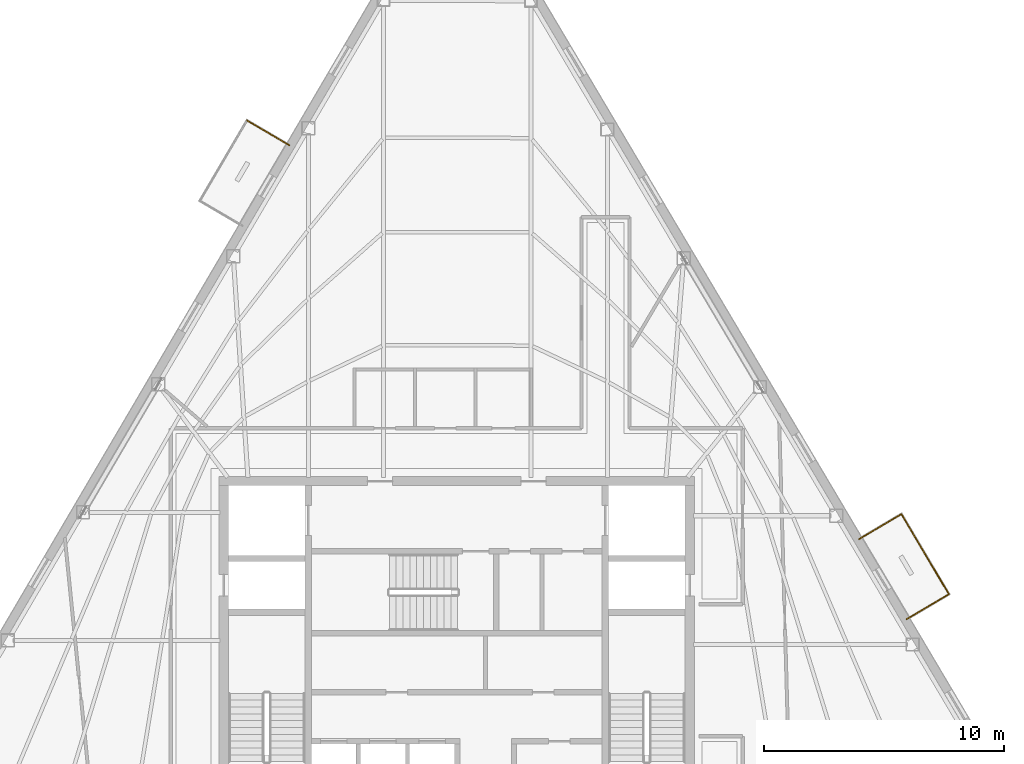
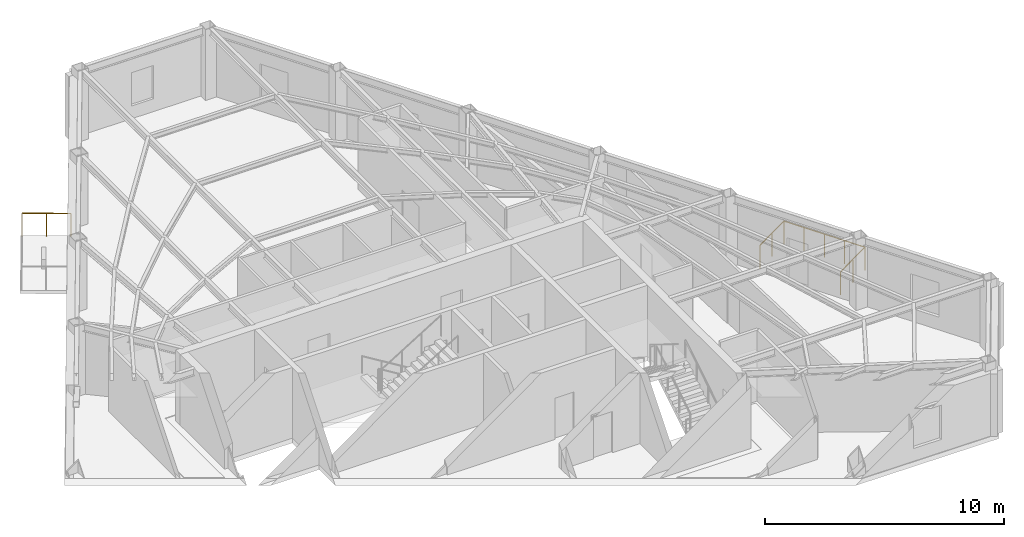
# One storey, part 9 of 9: 4 railings.
"""IFC4 building model written with IfcOpenShell, lengths in metres."""

from ifc_helpers import new_model, si_unit, direction, frame, origin, origin_2d, place, context, subcontext, project, spatial, circle, extrude, material, type_object, element, save


model = new_model("IFC4")

# Units and contexts
model_context = context("Model", 3, precision=1e-05, world=origin(), true_north=direction((0.0, 1.0)))
body_context = subcontext(model_context, "Body", "Model", "MODEL_VIEW")
ifc_project = project(units=[si_unit("LENGTHUNIT", "METRE"), si_unit("AREAUNIT", "SQUARE_METRE"), si_unit("VOLUMEUNIT", "CUBIC_METRE"), si_unit("PLANEANGLEUNIT", "RADIAN"), si_unit("MASSUNIT", "GRAM", prefix="KILO")], contexts=[model_context])

# Site, building, storey
site_placement = place(None, origin())
site = spatial("IfcSite", under=ifc_project, at=site_placement, CompositionType="ELEMENT")
building_placement = place(site_placement, origin())
building = spatial("IfcBuilding", under=site, at=building_placement, Name="Kavelnor Concourse Tower", CompositionType="ELEMENT")
storey_placement = place(building_placement, frame((0.0, 0.0, 270.300048828125)))
storey = spatial("IfcBuildingStorey", under=building, at=storey_placement, Name="L68", CompositionType="ELEMENT", Elevation=270.300048828125)

# Railings
ifc_material = material(Name="Architectural bronze-anodised aluminium", Category="aluminium")
railing_type = type_object("IfcRailingType", Name="RLG-TERRACE-1200", PredefinedType="BALUSTRADE", material=ifc_material)
railing_1_placement = place(storey_placement, frame((56.745361328125, 17.03466796875, 0.0)))
element("IfcRailing", 1, at=railing_1_placement, inside=storey, type_object=railing_type, Name="L68 Tree Balcony 1 Guardrail L", PredefinedType="BALUSTRADE", context=body_context, shape_type="SweptSolid", body=[
    extrude(circle(Radius=0.02392578125, at=origin_2d()), frame((0.0, 0.0, 1.17578125), z_axis=(0.860254773825, 0.509864417381, 0.0), x_axis=(-0.509864417381, 0.860254773825, 0.0)), (0.0, 0.0, 1.0), 2.0498046875),
    extrude(circle(Radius=0.02099609375, at=origin_2d()), origin(), (0.0, 0.0, 1.0), 1.15185546875),
    extrude(circle(Radius=0.02099609375, at=origin_2d()), frame((0.8818359375, 0.5224609375, 0.0)), (0.0, 0.0, 1.0), 1.15185546875),
    extrude(circle(Radius=0.02099609375, at=origin_2d()), frame((1.763427734375, 1.045166015625, 0.0)), (0.0, 0.0, 1.0), 1.15185546875),
])
railing_2_placement = place(storey_placement, frame((58.5087890625, 18.079833984375, 0.0)))
element("IfcRailing", 2, at=railing_2_placement, inside=storey, type_object=railing_type, Name="L68 Tree Balcony 1 Guardrail F", PredefinedType="BALUSTRADE", context=body_context, shape_type="SweptSolid", body=[
    extrude(circle(Radius=0.02392578125, at=origin_2d()), frame((0.0, 0.0, 1.17578125), z_axis=(-0.509852407192, 0.860261892031, 0.0), x_axis=(-0.860261892031, -0.509852407192, 0.0)), (0.0, 0.0, 1.0), 3.880126953125),
    extrude(circle(Radius=0.02099609375, at=origin_2d()), origin(), (0.0, 0.0, 1.0), 1.15185546875),
    extrude(circle(Radius=0.02099609375, at=origin_2d()), frame((-0.49462890625, 0.83447265625, 0.0)), (0.0, 0.0, 1.0), 1.15185546875),
    extrude(circle(Radius=0.02099609375, at=origin_2d()), frame((-0.9892578125, 1.6689453125, 0.0)), (0.0, 0.0, 1.0), 1.15185546875),
    extrude(circle(Radius=0.02099609375, at=origin_2d()), frame((-1.483642578125, 2.50341796875, 0.0)), (0.0, 0.0, 1.0), 1.15185546875),
    extrude(circle(Radius=0.02099609375, at=origin_2d()), frame((-1.978271484375, 3.337890625, 0.0)), (0.0, 0.0, 1.0), 1.15185546875),
])
railing_3_placement = place(storey_placement, frame((56.530517578125, 21.417724609375, 0.0)))
element("IfcRailing", 3, at=railing_3_placement, inside=storey, type_object=railing_type, Name="L68 Tree Balcony 1 Guardrail R", PredefinedType="BALUSTRADE", context=body_context, shape_type="SweptSolid", body=[
    extrude(circle(Radius=0.02392578125, at=origin_2d()), frame((0.0, 0.0, 1.17578125), z_axis=(-0.860254773825, -0.509864417381, 0.0), x_axis=(0.509864417381, -0.860254773825, 0.0)), (0.0, 0.0, 1.0), 2.0498046875),
    extrude(circle(Radius=0.02099609375, at=origin_2d()), origin(), (0.0, 0.0, 1.0), 1.15185546875),
    extrude(circle(Radius=0.02099609375, at=origin_2d()), frame((-0.8818359375, -0.5224609375, 0.0)), (0.0, 0.0, 1.0), 1.15185546875),
    extrude(circle(Radius=0.02099609375, at=origin_2d()), frame((-1.763427734375, -1.045166015625, 0.0)), (0.0, 0.0, 1.0), 1.15185546875),
])
railing_4_placement = place(storey_placement, frame((31.029541015625, 36.782470703125, 0.0)))
element("IfcRailing", 4, at=railing_4_placement, inside=storey, type_object=railing_type, Name="L68 Tree Balcony 2 Guardrail L", PredefinedType="BALUSTRADE", context=body_context, shape_type="SweptSolid", body=[
    extrude(circle(Radius=0.02392578125, at=origin_2d()), frame((0.0, 0.0, 1.17578125), z_axis=(-0.862454208464, 0.506135098864, 0.0), x_axis=(-0.506135098864, -0.862454208464, 0.0)), (0.0, 0.0, 1.0), 2.050048828125),
    extrude(circle(Radius=0.02099609375, at=origin_2d()), origin(), (0.0, 0.0, 1.0), 1.15185546875),
    extrude(circle(Radius=0.02099609375, at=origin_2d()), frame((-0.884033203125, 0.518798828125, 0.0)), (0.0, 0.0, 1.0), 1.15185546875),
    extrude(circle(Radius=0.02099609375, at=origin_2d()), frame((-1.76806640625, 1.03759765625, 0.0)), (0.0, 0.0, 1.0), 1.15185546875),
])

save(model, "model.ifc")
